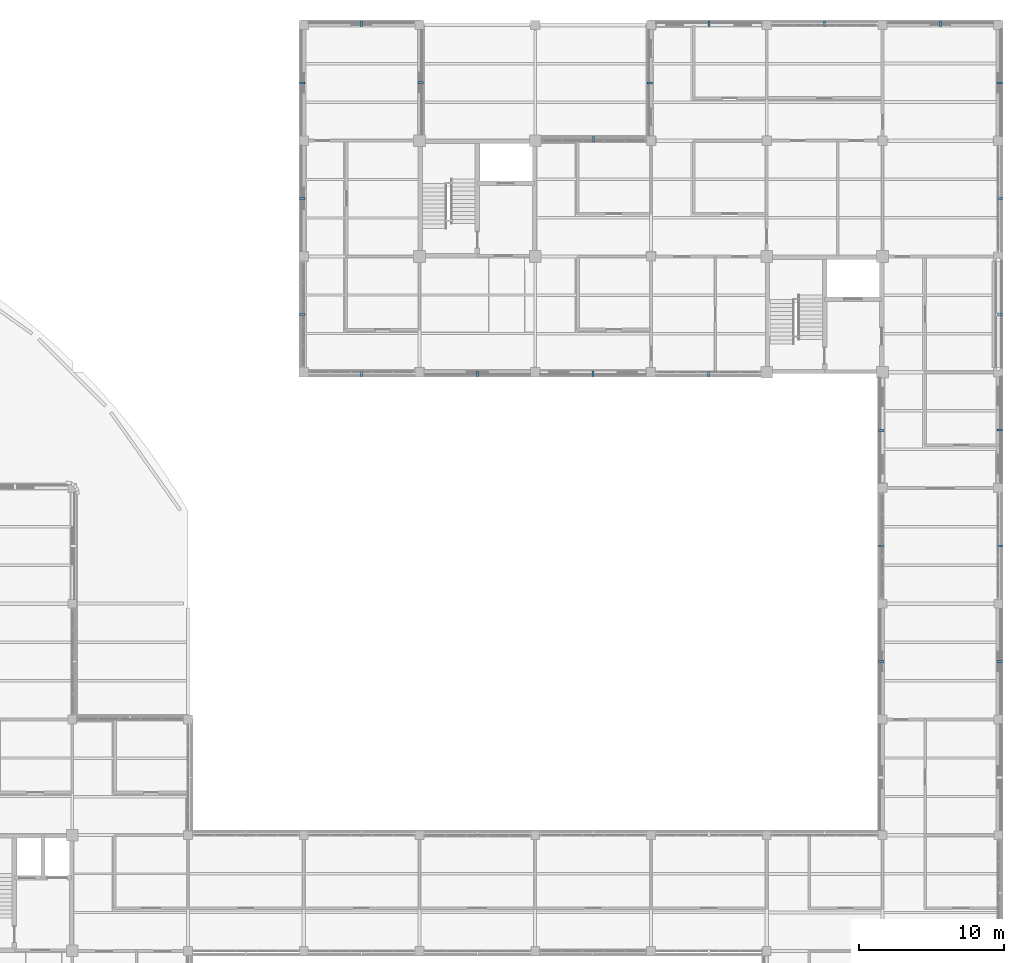
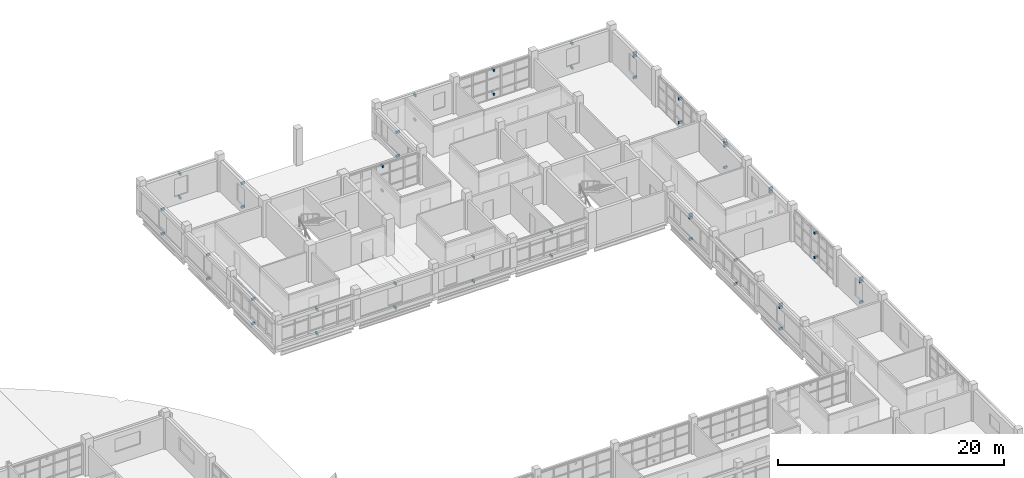
# One storey, part 112 of 126: 52 discrete accessories.
"""IFC4 building model written with IfcOpenShell, lengths in metres."""

import ifcopenshell
import ifcopenshell.guid

model = None  # the IFC model being written
_history = None  # IfcOwnerHistory: only IFC2X3 demands one
_inside = {}  # id of a spatial element -> (the spatial element, [elements in it])
_under = {}  # id of a project, library or spatial element -> (it, [spatial elements below it])
_declared = {}  # id of a project -> (the project, [libraries it declares])
_typed = {}  # id of a type object -> (the type object, [elements of that type])
_made_of = {}  # id of a material, layer set ... -> (it, [elements and type objects made of it])


def new_model(schema):
    """Start an empty IFC model of exactly this schema.

    Asked for "IFC4X3", IfcOpenShell would pick the latest addendum, in which some entities
    have other attributes; the version numbers below select the first issue.
    IFC2X3 requires an IfcOwnerHistory on every rooted entity: one is made here for all.
    """
    global model, _history
    if schema == "IFC4X3":
        model = ifcopenshell.file(schema_version=(4, 3, 0, 0))
    else:
        model = ifcopenshell.file(schema=schema)
    _inside.clear()
    _under.clear()
    _declared.clear()
    _typed.clear()
    _made_of.clear()
    _history = None
    if model.schema == "IFC2X3":
        org = make("IfcOrganization", Name="unknown")
        user = make(
            "IfcPersonAndOrganization",
            ThePerson=make("IfcPerson", FamilyName="unknown"),
            TheOrganization=org,
        )
        app = make(
            "IfcApplication",
            ApplicationDeveloper=org,
            Version="unknown",
            ApplicationFullName="unknown",
            ApplicationIdentifier="unknown",
        )
        _history = make(
            "IfcOwnerHistory",
            OwningUser=user,
            OwningApplication=app,
            ChangeAction="ADDED",
            CreationDate=0,
        )
    return model


def make(cls, **values):
    """One entity of the class cls with the attributes given. An attribute that is None is left unset."""
    return model.create_entity(
        cls, **{name: value for name, value in values.items() if value is not None}
    )


def rooted(cls, **values):
    """An entity with a GlobalId (a new one), such as an element, a storey or a relation."""
    return make(cls, GlobalId=ifcopenshell.guid.new(), OwnerHistory=_history, **values)


def si_unit(unit_type, name, prefix=None):
    """IfcSIUnit, for example si_unit("LENGTHUNIT", "METRE", prefix="MILLI")."""
    return make("IfcSIUnit", UnitType=unit_type, Prefix=prefix, Name=name)


def derived_unit(unit_type, elements):
    """IfcDerivedUnit: a product of units, each with its exponent."""
    return make(
        "IfcDerivedUnit",
        Elements=[
            make("IfcDerivedUnitElement", Unit=unit, Exponent=power)
            for unit, power in elements
        ],
        UnitType=unit_type,
    )


def assignment(units):
    """IfcUnitAssignment: the units of a project."""
    return None if units is None else make("IfcUnitAssignment", Units=units)


def point(xyz):
    """IfcCartesianPoint."""
    return None if xyz is None else make("IfcCartesianPoint", Coordinates=xyz)


def direction(xyz):
    """IfcDirection."""
    return None if xyz is None else make("IfcDirection", DirectionRatios=xyz)


def frame(location, z_axis=None, x_axis=None):
    """IfcAxis2Placement3D, a coordinate frame: its origin and axes. An axis left out is left unset."""
    return make(
        "IfcAxis2Placement3D",
        Location=point(location),
        Axis=direction(z_axis),
        RefDirection=direction(x_axis),
    )


def frame_2d(location, x_axis=None):
    """IfcAxis2Placement2D, a coordinate frame in the plane: its origin and x axis."""
    return make(
        "IfcAxis2Placement2D", Location=point(location), RefDirection=direction(x_axis)
    )


def origin():
    """The frame at (0, 0, 0) with its axes left unset."""
    return frame((0.0, 0.0, 0.0))


def origin_2d():
    """The frame at (0, 0) in the plane with its x axis left unset."""
    return frame_2d((0.0, 0.0))


def place(relative_to, where):
    """IfcLocalPlacement: puts the frame where relative to a parent placement (None: the world)."""
    return make(
        "IfcLocalPlacement", PlacementRelTo=relative_to, RelativePlacement=where
    )


def context(
    kind, dimensions, precision=None, world=None, true_north=None, identifier=None
):
    """IfcGeometricRepresentationContext, for example the 3D "Model" context."""
    return make(
        "IfcGeometricRepresentationContext",
        ContextIdentifier=identifier,
        ContextType=kind,
        CoordinateSpaceDimension=dimensions,
        Precision=precision,
        WorldCoordinateSystem=world,
        TrueNorth=true_north,
    )


def subcontext(parent, identifier, kind, view, scale=None):
    """IfcGeometricRepresentationSubContext, for example "Body" below "Model"."""
    return make(
        "IfcGeometricRepresentationSubContext",
        ContextIdentifier=identifier,
        ContextType=kind,
        ParentContext=parent,
        TargetScale=scale,
        TargetView=view,
    )


def project(units=None, contexts=None):
    """IfcProject with its units and contexts."""
    return rooted(
        "IfcProject",
        Name="project",
        RepresentationContexts=contexts,
        UnitsInContext=assignment(units),
    )


def spatial(cls, under=None, at=None, **own):
    """A site, building, storey or space (cls), placed at a placement, below another one or the project."""
    s = rooted(cls, ObjectPlacement=at, **own)
    if under is not None:
        _under.setdefault(under.id(), (under, []))[1].append(s)
    return s


def profile(cls, at=None, kind="AREA", **sizes):
    """A parametric profile (cls). Its sizes go by their IFC names, for example OverallWidth=200.0."""
    return make(cls, ProfileType=kind, Position=at, **sizes)


def rectangle(**sizes):
    """IfcRectangleProfileDef."""
    return profile("IfcRectangleProfileDef", **sizes)


def extrude(swept, where, along, depth):
    """IfcExtrudedAreaSolid: the profile swept, set in the frame where, extruded along a direction by depth."""
    return make(
        "IfcExtrudedAreaSolid",
        SweptArea=swept,
        Position=where,
        ExtrudedDirection=direction(along),
        Depth=depth,
    )


def shape(context_of_items, identifier, shape_type, items):
    """IfcShapeRepresentation: the items that make up one representation, for example the "Body"."""
    return make(
        "IfcShapeRepresentation",
        ContextOfItems=context_of_items,
        RepresentationIdentifier=identifier,
        RepresentationType=shape_type,
        Items=items,
    )


def material(Name=None, Category=None):
    """IfcMaterial."""
    return make("IfcMaterial", Name=Name, Category=Category)


def made_of(thing, what):
    """Note that an element or type object is made of a material, layer set ...; save() writes the relation."""
    if what is not None:
        _made_of.setdefault(what.id(), (what, []))[1].append(thing)
    return thing


def type_object(cls, material=None, **own):
    """A type object (cls), such as IfcWallType, which elements share."""
    return made_of(rooted(cls, **own), material)


def element(
    cls,
    number,
    at=None,
    inside=None,
    cuts=None,
    type_object=None,
    material=None,
    context=None,
    identifier="Body",
    shape_type=None,
    held_by="IfcProductDefinitionShape",
    body=None,
    shapes=None,
    **own,
):
    """One element of the class cls, such as IfcWall. Its Tag is "e" and its number.

    at: its placement. inside: the storey or other place that contains it. cuts: it is an
    opening in that element (IfcRelVoidsElement). A single representation is given by context,
    identifier, shape_type and body (its items); several are given by shapes. held_by: the class
    of the entity that holds the representations. save() writes the other relations.
    """
    e = rooted(cls, Tag="e%d" % number, ObjectPlacement=at, **own)
    if body is not None:
        shapes = [shape(context, identifier, shape_type, body)]
    if shapes is not None:
        e.Representation = make(held_by, Representations=shapes)
    if inside is not None:
        _inside.setdefault(inside.id(), (inside, []))[1].append(e)
    if cuts is not None:
        rooted(
            "IfcRelVoidsElement", RelatingBuildingElement=cuts, RelatedOpeningElement=e
        )
    if type_object is not None:
        _typed.setdefault(type_object.id(), (type_object, []))[1].append(e)
    return made_of(e, material)


def aggregate(whole, parts):
    """IfcRelAggregates: a whole, such as a stair, and the parts it consists of."""
    return rooted("IfcRelAggregates", RelatingObject=whole, RelatedObjects=parts)


def save(model, path):
    """Write the relations noted so far, then the file.

    IfcRelAggregates (storeys below a building ...), IfcRelContainedInSpatialStructure (elements
    in a storey), IfcRelDefinesByType, IfcRelAssociatesMaterial and IfcRelDeclares: one each for
    every whole, place, type object, material and project.
    """
    for whole, parts in _under.values():
        aggregate(whole, parts)
    for where, things in _inside.values():
        rooted(
            "IfcRelContainedInSpatialStructure",
            RelatedElements=things,
            RelatingStructure=where,
        )
    for kind, things in _typed.values():
        rooted("IfcRelDefinesByType", RelatedObjects=things, RelatingType=kind)
    for what, things in _made_of.values():
        rooted("IfcRelAssociatesMaterial", RelatedObjects=things, RelatingMaterial=what)
    for by, libraries in _declared.values():
        rooted("IfcRelDeclares", RelatingContext=by, RelatedDefinitions=libraries)
    model.write(path)


model = new_model("IFC4")

# Units and contexts
model_context = context("Model", 3, precision=1e-05, world=origin(), true_north=direction((0.0, 1.0)))
body_context = subcontext(model_context, "Body", "Model", "MODEL_VIEW")
ifc_project = project(units=[si_unit("LENGTHUNIT", "METRE"), si_unit("AREAUNIT", "SQUARE_METRE"), si_unit("VOLUMEUNIT", "CUBIC_METRE"), si_unit("PLANEANGLEUNIT", "RADIAN"), si_unit("MASSUNIT", "GRAM", prefix="KILO"), derived_unit("THERMALTRANSMITTANCEUNIT", [(si_unit("MASSUNIT", "GRAM", prefix="KILO"), 1), (si_unit("TIMEUNIT", "SECOND"), -3), (si_unit("THERMODYNAMICTEMPERATUREUNIT", "KELVIN"), -1)])], contexts=[model_context])

# Site, building, storey
site_placement = place(None, origin())
site = spatial("IfcSite", under=ifc_project, at=site_placement, CompositionType="ELEMENT")
building_placement = place(site_placement, origin())
building = spatial("IfcBuilding", under=site, at=building_placement, Name="Veyamyaing Civic Hall", CompositionType="ELEMENT")
storey_placement = place(building_placement, frame((0.0, 0.0, 9.89990234375)))
storey = spatial("IfcBuildingStorey", under=building, at=storey_placement, Name="L02", CompositionType="ELEMENT", Elevation=9.89990234375)

# Discrete accessories
ifc_material = material(Name="Steel S355J2", Category="steel")
discrete_accessory_type = type_object("IfcDiscreteAccessoryType", Name="BK-01", PredefinedType="BRACKET", material=ifc_material)
for number, where, z_axis, x_axis, name in (
    (1, (132.0, 87.89990234375, 3.00390625), (0.0, 0.0, 1.0), (0.0, -1.0, 0.0), "Sunshade anchor bracket BK-01 L02 S 17.12"),
    (2, (132.0, 87.89990234375, 0.35986328125), (0.0, 0.0, 1.0), (0.0, -1.0, 0.0), "Lower ribbon anchor bracket BK-01 L02 S 17.12"),
    (3, (127.89990234375, 92.0, 3.00390625), (0.0, 0.0, 1.0), (-1.0, 0.0, 0.0), "Sunshade anchor bracket BK-01 L02 W 17.12"),
    (4, (127.89990234375, 92.0, 0.35986328125), (0.0, 0.0, 1.0), (-1.0, 0.0, 0.0), "Lower ribbon anchor bracket BK-01 L02 W 17.12"),
    (5, (127.89990234375, 100.0, 2.9443359375), (0.0, 0.0, 1.0), (-1.0, 0.0, 0.0), "Sunshade anchor bracket BK-01 L02 W 17.13"),
    (6, (127.89990234375, 100.0, 0.35986328125), (0.0, 0.0, 1.0), (-1.0, 0.0, 0.0), "Lower ribbon anchor bracket BK-01 L02 W 17.13"),
    (7, (132.0, 112.10009765625, 2.93994140625), (0.0, 0.0, 1.0), (0.0, 1.0, 0.0), "Sunshade anchor bracket BK-01 L02 N 17.14"),
    (8, (132.0, 112.10009765625, 0.35986328125), (0.0, 0.0, 1.0), (0.0, 1.0, 0.0), "Lower ribbon anchor bracket BK-01 L02 N 17.14"),
    (9, (127.89990234375, 108.0, 3.00732421875), (0.0, 0.0, 1.0), (-1.0, 0.0, 0.0), "Sunshade anchor bracket BK-01 L02 W 17.14"),
    (10, (127.89990234375, 108.0, 0.35986328125), (0.0, 0.0, 1.0), (-1.0, 0.0, 0.0), "Lower ribbon anchor bracket BK-01 L02 W 17.14"),
    (11, (136.10009765625, 108.03759765625, 2.93994140625), (0.0, 0.0, 1.0), (1.0, 0.0, 0.0), "Sunshade anchor bracket BK-01 L02 E 17.14"),
    (12, (136.10009765625, 108.03759765625, 0.35986328125), (0.0, 0.0, 1.0), (1.0, 0.0, 0.0), "Lower ribbon anchor bracket BK-01 L02 E 17.14"),
    (13, (140.0, 87.89990234375, 2.9443359375), (0.0, 0.0, 1.0), (0.0, -1.0, 0.0), "Sunshade anchor bracket BK-01 L02 S 18.12"),
    (14, (140.0, 87.89990234375, 0.35986328125), (0.0, 0.0, 1.0), (0.0, -1.0, 0.0), "Lower ribbon anchor bracket BK-01 L02 S 18.12"),
    (15, (148.0, 87.89990234375, 3.00732421875), (0.0, 0.0, 1.0), (0.0, -1.0, 0.0), "Sunshade anchor bracket BK-01 L02 S 19.12"),
    (16, (148.0, 87.89990234375, 0.35986328125), (0.0, 0.0, 1.0), (0.0, -1.0, 0.0), "Lower ribbon anchor bracket BK-01 L02 S 19.12"),
    (17, (148.03759765625, 104.10009765625, 3.00390625), (0.0, 0.0, 1.0), (0.0, 1.0, 0.0), "Sunshade anchor bracket BK-01 L02 N 19.13"),
    (18, (148.03759765625, 104.10009765625, 0.35986328125), (0.0, 0.0, 1.0), (0.0, 1.0, 0.0), "Lower ribbon anchor bracket BK-01 L02 N 19.13"),
    (19, (155.96240234375, 87.89990234375, 2.93994140625), (0.0, 0.0, 1.0), (0.0, -1.0, 0.0), "Sunshade anchor bracket BK-01 L02 S 20.12"),
    (20, (155.96240234375, 87.89990234375, 0.35986328125), (0.0, 0.0, 1.0), (0.0, -1.0, 0.0), "Lower ribbon anchor bracket BK-01 L02 S 20.12"),
    (21, (156.0, 112.10009765625, 3.00732421875), (0.0, 0.0, 1.0), (0.0, 1.0, 0.0), "Sunshade anchor bracket BK-01 L02 N 20.14"),
    (22, (156.0, 112.10009765625, 0.35986328125), (0.0, 0.0, 1.0), (0.0, 1.0, 0.0), "Lower ribbon anchor bracket BK-01 L02 N 20.14"),
    (23, (151.89990234375, 108.0, 2.9443359375), (0.0, 0.0, 1.0), (-1.0, 0.0, 0.0), "Sunshade anchor bracket BK-01 L02 W 20.14"),
    (24, (151.89990234375, 108.0, 0.35986328125), (0.0, 0.0, 1.0), (-1.0, 0.0, 0.0), "Lower ribbon anchor bracket BK-01 L02 W 20.14"),
    (25, (164.0, 112.10009765625, 2.93994140625), (0.0, 0.0, 1.0), (0.0, 1.0, 0.0), "Sunshade anchor bracket BK-01 L02 N 21.14"),
    (26, (164.0, 112.10009765625, 0.35986328125), (0.0, 0.0, 1.0), (0.0, 1.0, 0.0), "Lower ribbon anchor bracket BK-01 L02 N 21.14"),
    (27, (167.89990234375, 68.0, 3.00732421875), (0.0, 0.0, 1.0), (-1.0, 0.0, 0.0), "Sunshade anchor bracket BK-01 L02 W 22.9"),
    (28, (167.89990234375, 68.0, 0.35986328125), (0.0, 0.0, 1.0), (-1.0, 0.0, 0.0), "Lower ribbon anchor bracket BK-01 L02 W 22.9"),
    (29, (167.89990234375, 68.0, 2.67724609375), (0.0, 0.0, 1.0), (-1.0, 0.0, 0.0), "Louvre anchor bracket BK-01 L02 W 22.9"),
    (30, (176.10009765625, 68.0, 2.93994140625), (0.0, 0.0, 1.0), (1.0, 0.0, 0.0), "Sunshade anchor bracket BK-01 L02 E 22.9"),
    (31, (176.10009765625, 68.0, 0.35986328125), (0.0, 0.0, 1.0), (1.0, 0.0, 0.0), "Lower ribbon anchor bracket BK-01 L02 E 22.9"),
    (32, (176.10009765625, 68.0, 2.60986328125), (0.0, 0.0, 1.0), (1.0, 0.0, 0.0), "Louvre anchor bracket BK-01 L02 E 22.9"),
    (33, (167.89990234375, 75.987548828125, 2.93994140625), (0.0, 0.0, 1.0), (-1.0, 0.0, 0.0), "Sunshade anchor bracket BK-01 L02 W 22.10"),
    (34, (167.89990234375, 75.987548828125, 0.35986328125), (0.0, 0.0, 1.0), (-1.0, 0.0, 0.0), "Lower ribbon anchor bracket BK-01 L02 W 22.10"),
    (35, (176.10009765625, 75.987548828125, 3.00390625), (0.0, 0.0, 1.0), (1.0, 0.0, 0.0), "Sunshade anchor bracket BK-01 L02 E 22.10"),
    (36, (176.10009765625, 75.987548828125, 0.35986328125), (0.0, 0.0, 1.0), (1.0, 0.0, 0.0), "Lower ribbon anchor bracket BK-01 L02 E 22.10"),
    (37, (167.89990234375, 83.96240234375, 3.00390625), (0.0, 0.0, 1.0), (-1.0, 0.0, 0.0), "Sunshade anchor bracket BK-01 L02 W 22.11"),
    (38, (167.89990234375, 83.96240234375, 0.35986328125), (0.0, 0.0, 1.0), (-1.0, 0.0, 0.0), "Lower ribbon anchor bracket BK-01 L02 W 22.11"),
    (39, (167.89990234375, 83.96240234375, 2.67431640625), (0.0, 0.0, 1.0), (-1.0, 0.0, 0.0), "Louvre anchor bracket BK-01 L02 W 22.11"),
    (40, (176.10009765625, 84.0, 2.9443359375), (0.0, 0.0, 1.0), (1.0, 0.0, 0.0), "Sunshade anchor bracket BK-01 L02 E 22.11"),
    (41, (176.10009765625, 84.0, 0.35986328125), (0.0, 0.0, 1.0), (1.0, 0.0, 0.0), "Lower ribbon anchor bracket BK-01 L02 E 22.11"),
    (42, (176.10009765625, 84.0, 2.6142578125), (0.0, 0.0, 1.0), (1.0, 0.0, 0.0), "Louvre anchor bracket BK-01 L02 E 22.11"),
    (43, (176.10009765625, 92.0, 3.00732421875), (0.0, 0.0, 1.0), (1.0, 0.0, 0.0), "Sunshade anchor bracket BK-01 L02 E 22.12"),
    (44, (176.10009765625, 92.0, 0.35986328125), (0.0, 0.0, 1.0), (1.0, 0.0, 0.0), "Lower ribbon anchor bracket BK-01 L02 E 22.12"),
    (45, (176.10009765625, 92.0, 2.67724609375), (0.0, 0.0, 1.0), (1.0, 0.0, 0.0), "Louvre anchor bracket BK-01 L02 E 22.12"),
    (46, (176.10009765625, 100.0, 2.93994140625), (0.0, 0.0, 1.0), (1.0, 0.0, 0.0), "Sunshade anchor bracket BK-01 L02 E 22.13"),
    (47, (176.10009765625, 100.0, 0.35986328125), (0.0, 0.0, 1.0), (1.0, 0.0, 0.0), "Lower ribbon anchor bracket BK-01 L02 E 22.13"),
    (48, (172.0, 112.10009765625, 3.00390625), (0.0, 0.0, 1.0), (0.0, 1.0, 0.0), "Sunshade anchor bracket BK-01 L02 N 22.14"),
    (49, (172.0, 112.10009765625, 0.35986328125), (0.0, 0.0, 1.0), (0.0, 1.0, 0.0), "Lower ribbon anchor bracket BK-01 L02 N 22.14"),
    (50, (176.10009765625, 108.0, 3.00390625), (0.0, 0.0, 1.0), (1.0, 0.0, 0.0), "Sunshade anchor bracket BK-01 L02 E 22.14"),
    (51, (176.10009765625, 108.0, 0.35986328125), (0.0, 0.0, 1.0), (1.0, 0.0, 0.0), "Lower ribbon anchor bracket BK-01 L02 E 22.14"),
    (52, (176.10009765625, 108.0, 2.67431640625), (0.0, 0.0, 1.0), (1.0, 0.0, 0.0), "Louvre anchor bracket BK-01 L02 E 22.14"),
):
    element("IfcDiscreteAccessory", number, at=place(storey_placement, frame(where, z_axis=z_axis, x_axis=x_axis)), inside=storey, type_object=discrete_accessory_type, Name=name, PredefinedType="BRACKET", context=body_context, shape_type="SweptSolid", body=[
        extrude(rectangle(XDim=0.3798828125, YDim=0.139892578125, at=origin_2d()), origin(), (0.0, 0.0, 1.0), 0.239990234375),
    ])

save(model, "model.ifc")
